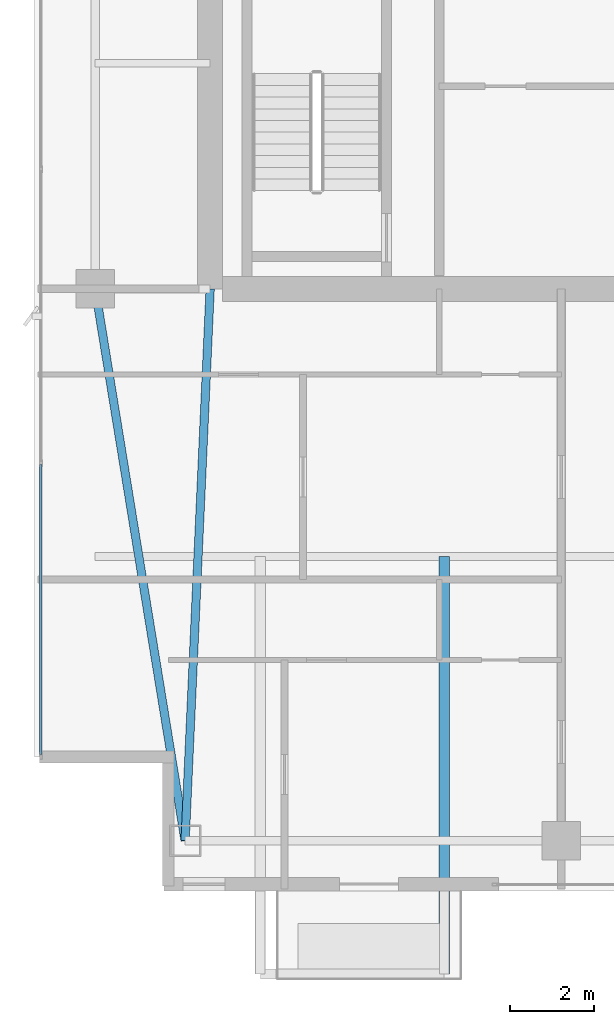
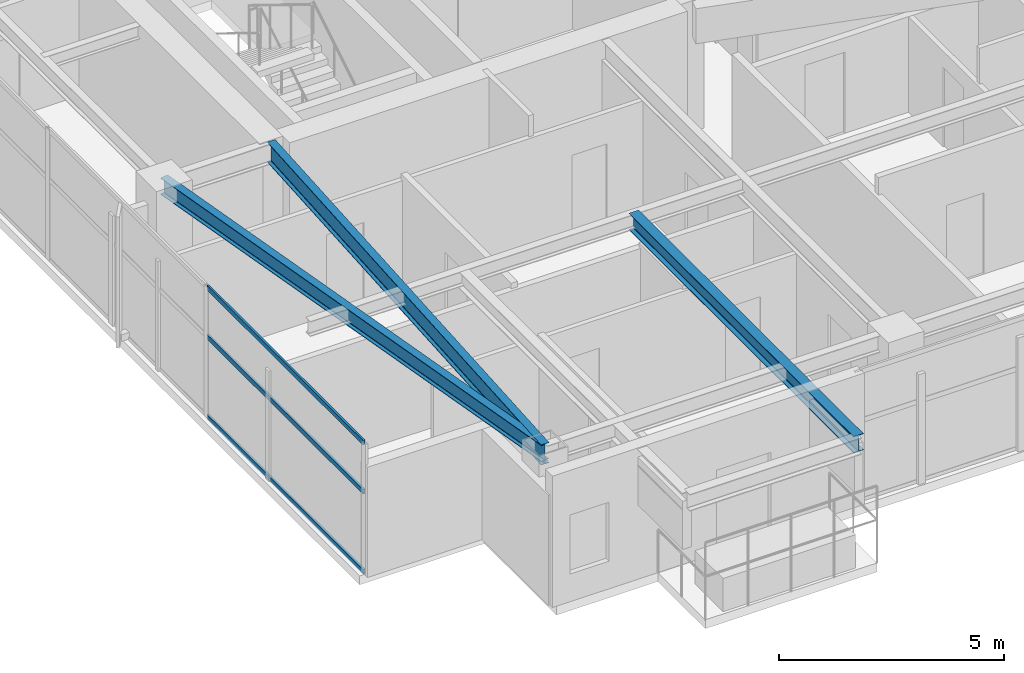
# One storey, part 4 of 27: 3 beams, 3 members, 1 element without a shape of its own.
"""IFC4 building model written with IfcOpenShell, lengths in metres."""

from ifc_helpers import new_model, si_unit, direction, frame, origin, origin_2d, place, context, subcontext, project, spatial, hollow_rectangle, i_section, extrude, material, layer, layer_set, material_profile, profile_set, type_object, element, aggregate, save


model = new_model("IFC4")

# Units and contexts
model_context = context("Model", 3, precision=1e-05, world=origin(), true_north=direction((0.0, 1.0)))
body_context = subcontext(model_context, "Body", "Model", "MODEL_VIEW")
ifc_project = project(units=[si_unit("LENGTHUNIT", "METRE"), si_unit("AREAUNIT", "SQUARE_METRE"), si_unit("VOLUMEUNIT", "CUBIC_METRE"), si_unit("PLANEANGLEUNIT", "RADIAN"), si_unit("MASSUNIT", "GRAM", prefix="KILO")], contexts=[model_context])

# Site, building, storey
site_placement = place(None, origin())
site = spatial("IfcSite", under=ifc_project, at=site_placement, CompositionType="ELEMENT")
building_placement = place(site_placement, origin())
building = spatial("IfcBuilding", under=site, at=building_placement, Name="Calvorn Quay Hotel", CompositionType="ELEMENT")
storey_placement = place(building_placement, frame((0.0, 0.0, 298.699951171875)))
storey = spatial("IfcBuildingStorey", under=building, at=storey_placement, Name="L74", CompositionType="ELEMENT", Elevation=298.699951171875)

# Beams
ifc_material_1 = material(Name="Steel Q355B", Category="steel")
ifc_material_profile_1 = material_profile(ifc_material_1, i_section(OverallWidth=0.25, OverallDepth=0.449951171875, WebThickness=0.011962890625, FlangeThickness=0.01611328125, FilletRadius=0.01611328125, at=origin_2d()), Name="HN450x250x12x16")
ifc_profile_set_1 = profile_set([ifc_material_profile_1], Name="Steel Q355B")
beam_type_1 = type_object("IfcBeamType", Name="BM-CANT-BALC", PredefinedType="BEAM", material=ifc_profile_set_1)
beam_1_placement = place(storey_placement, frame((9.800048828125, 10.39990234375, 3.31494140625), z_axis=(0.0, -1.0, 0.0), x_axis=(1.0, 0.0, 0.0)))
element("IfcBeam", 1, at=beam_1_placement, inside=storey, type_object=beam_type_1, Name="Cantilever Balcony Beam BCB-L75-2B", PredefinedType="BEAM", context=body_context, shape_type="SweptSolid", body=[
    extrude(i_section(OverallWidth=0.25, OverallDepth=0.449951171875, WebThickness=0.011962890625, FlangeThickness=0.01611328125, FilletRadius=0.01611328125, at=origin_2d()), origin(), (0.0, 0.0, 1.0), 9.989990234375),
])
ifc_material_2 = material(Name="Steel Q355B", Category="steel")
ifc_material_profile_2 = material_profile(ifc_material_2, i_section(OverallWidth=0.199951171875, OverallDepth=0.550048828125, WebThickness=0.010009765625, FlangeThickness=0.01611328125, FilletRadius=0.01806640625, at=origin_2d()), Name="HN550x200x10x16")
ifc_profile_set_2 = profile_set([ifc_material_profile_2], Name="Steel Q355B")
beam_type_2 = type_object("IfcBeamType", Name="BM-GIRD-UPP", PredefinedType="BEAM", material=ifc_profile_set_2)
beam_2_placement = place(storey_placement, frame((3.60009765625, 3.60009765625, 3.26513671875), z_axis=(0.045396765494, 0.998969035397, 0.0), x_axis=(-0.998969035397, 0.045396765494, 0.0)))
element("IfcBeam", 2, at=beam_2_placement, inside=storey, type_object=beam_type_2, Name="Beam BG-L74-W0", PredefinedType="BEAM", context=body_context, shape_type="SweptSolid", body=[
    extrude(i_section(OverallWidth=0.199951171875, OverallDepth=0.550048828125, WebThickness=0.010009765625, FlangeThickness=0.01611328125, FilletRadius=0.01806640625, at=origin_2d()), origin(), (0.0, 0.0, 1.0), 13.213623046875),
])
ifc_material_3 = material(Name="Steel Q355B", Category="steel")
ifc_material_profile_3 = material_profile(ifc_material_3, i_section(OverallWidth=0.199951171875, OverallDepth=0.449951171875, WebThickness=0.009033203125, FlangeThickness=0.013916015625, FilletRadius=0.01611328125, at=origin_2d()), Name="HN450x200x9x14")
ifc_profile_set_3 = profile_set([ifc_material_profile_3], Name="Steel Q355B")
beam_type_3 = type_object("IfcBeamType", Name="BM-SPANDREL-Z3", PredefinedType="SPANDREL", material=ifc_profile_set_3)
beam_3_placement = place(storey_placement, frame((3.60009765625, 3.60009765625, 3.31494140625), z_axis=(-0.16077155054, 0.986991645627, 0.0), x_axis=(-0.986991645627, -0.16077155054, 0.0)))
element("IfcBeam", 3, at=beam_3_placement, inside=storey, type_object=beam_type_3, Name="Beam BSP-L74-W1", PredefinedType="SPANDREL", context=body_context, shape_type="SweptSolid", body=[
    extrude(i_section(OverallWidth=0.199951171875, OverallDepth=0.449951171875, WebThickness=0.009033203125, FlangeThickness=0.013916015625, FilletRadius=0.01611328125, at=origin_2d()), origin(), (0.0, 0.0, 1.0), 13.3740234375),
])

# Curtain wall, members
ifc_material_4 = material(Name="Champagne Bronze Anodised Aluminium and Low-E Glass", Category="aluminium")
ifc_layer = layer(ifc_material_4, 0.219970703125)
ifc_layer_set = layer_set([ifc_layer], Name="CW-SYS-Z4")
curtain_wall_type = type_object("IfcCurtainWallType", Name="CW-SYS-Z4", PredefinedType="NOTDEFINED", material=ifc_layer_set)
curtain_wall_placement = place(storey_placement, origin())
curtain_wall = element("IfcCurtainWall", 4, at=curtain_wall_placement, inside=storey, type_object=curtain_wall_type, Name="Tower West Curtain Wall (L74)", PredefinedType="NOTDEFINED")
ifc_material_5 = material(Name="Champagne Bronze Anodised Aluminium 6063-T6", Category="aluminium")
ifc_material_profile_4 = material_profile(ifc_material_5, hollow_rectangle(XDim=0.054931640625, YDim=0.1298828125, WallThickness=0.003173828125, at=origin_2d()), Name="ALU-T130x55x3.2")
ifc_profile_set_4 = profile_set([ifc_material_profile_4], Name="Champagne Bronze Anodised Aluminium 6063-T6")
member_type = type_object("IfcMemberType", Name="CW-SYS-Z4-TRN", PredefinedType="USERDEFINED", material=ifc_profile_set_4)
member_1_placement = place(storey_placement, frame((0.14990234375, 5.659912109375, 0.030029296875), z_axis=(0.0, 1.0, 0.0), x_axis=(-1.0, 0.0, 0.0)))
member_1 = element("IfcMember", 5, at=member_1_placement, type_object=member_type, Name="CW-L74-W transom 1.1", ObjectType="TRANSOM", PredefinedType="USERDEFINED", context=body_context, shape_type="SweptSolid", body=[
    extrude(hollow_rectangle(XDim=0.054931640625, YDim=0.1298828125, WallThickness=0.003173828125, at=origin_2d()), origin(), (0.0, 0.0, 1.0), 6.943359375),
])
member_2_placement = place(storey_placement, frame((0.14990234375, 5.659912109375, 2.199951171875), z_axis=(0.0, 1.0, 0.0), x_axis=(-1.0, 0.0, 0.0)))
member_2 = element("IfcMember", 6, at=member_2_placement, type_object=member_type, Name="CW-L74-W transom 1.2", ObjectType="TRANSOM", PredefinedType="USERDEFINED", context=body_context, shape_type="SweptSolid", body=[
    extrude(hollow_rectangle(XDim=0.054931640625, YDim=0.1298828125, WallThickness=0.003173828125, at=origin_2d()), origin(), (0.0, 0.0, 1.0), 6.943359375),
])
member_3_placement = place(storey_placement, frame((0.14990234375, 5.659912109375, 3.530029296875), z_axis=(0.0, 1.0, 0.0), x_axis=(-1.0, 0.0, 0.0)))
member_3 = element("IfcMember", 7, at=member_3_placement, type_object=member_type, Name="CW-L74-W transom 1.3", ObjectType="TRANSOM", PredefinedType="USERDEFINED", context=body_context, shape_type="SweptSolid", body=[
    extrude(hollow_rectangle(XDim=0.054931640625, YDim=0.1298828125, WallThickness=0.003173828125, at=origin_2d()), origin(), (0.0, 0.0, 1.0), 6.943359375),
])
aggregate(curtain_wall, [member_1, member_2, member_3])

save(model, "model.ifc")
